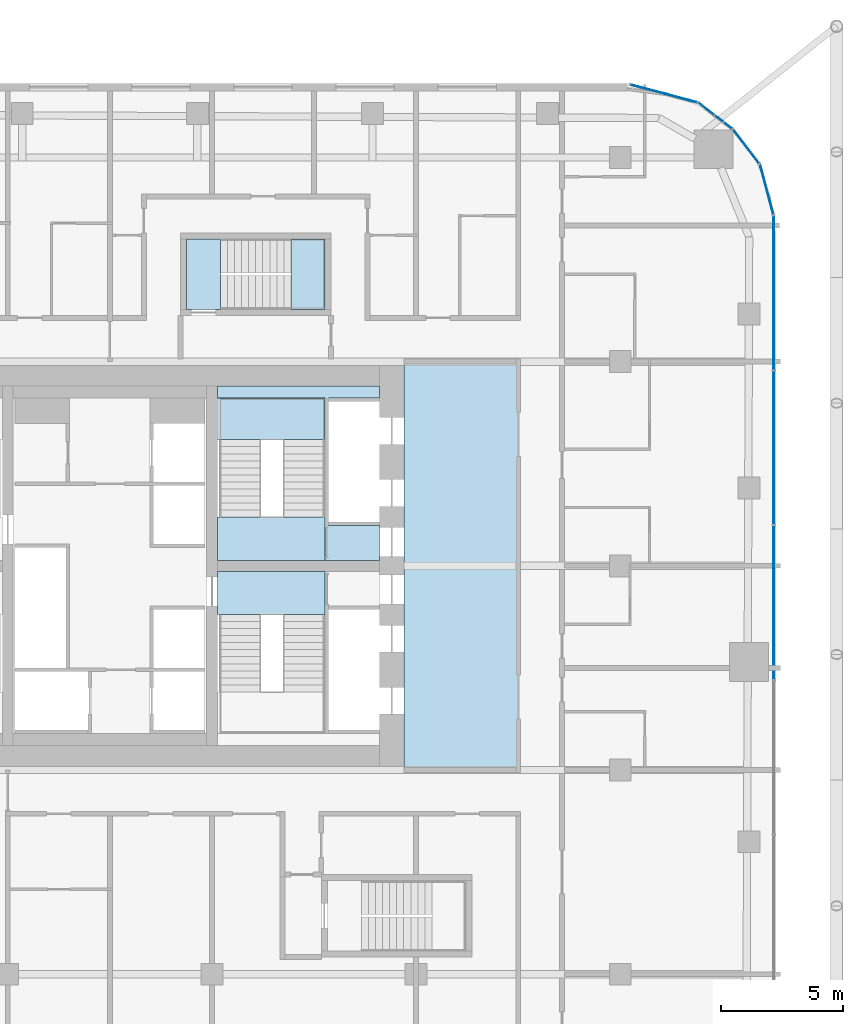
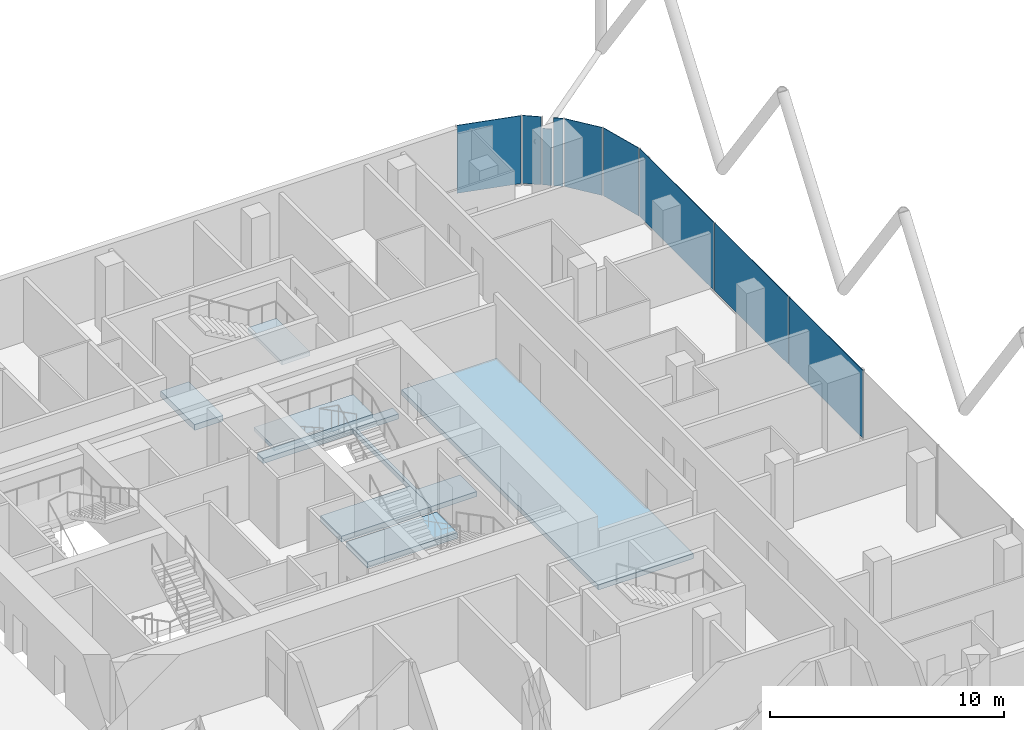
# One storey, part 23 of 33: 9 plates, 7 slabs, 9 elements without a shape of their own.
"""IFC4 building model written with IfcOpenShell, lengths in metres."""

from ifc_helpers import new_model, si_unit, direction, frame, origin, origin_2d, place, context, subcontext, project, spatial, polyline, rectangle, outline, extrude, material, layer, layer_set, type_object, element, aggregate, save


model = new_model("IFC4")

# Units and contexts
model_context = context("Model", 3, precision=1e-05, world=origin(), true_north=direction((0.0, 1.0)))
body_context = subcontext(model_context, "Body", "Model", "MODEL_VIEW")
ifc_project = project(units=[si_unit("LENGTHUNIT", "METRE"), si_unit("AREAUNIT", "SQUARE_METRE"), si_unit("VOLUMEUNIT", "CUBIC_METRE"), si_unit("PLANEANGLEUNIT", "RADIAN"), si_unit("MASSUNIT", "GRAM", prefix="KILO")], contexts=[model_context])

# Site, building, storey
site_placement = place(None, origin())
site = spatial("IfcSite", under=ifc_project, at=site_placement, CompositionType="ELEMENT")
building_placement = place(site_placement, origin())
building = spatial("IfcBuilding", under=site, at=building_placement, Name="Marenta Gate Hotel Tower", CompositionType="ELEMENT")
storey_placement = place(building_placement, frame((0.0, 0.0, 122.89990234375)))
storey = spatial("IfcBuildingStorey", under=building, at=storey_placement, Name="L27", CompositionType="ELEMENT", Elevation=122.89990234375)

# Slabs
ifc_material_1 = material(Name="Concrete C40", Category="concrete")
ifc_layer_1 = layer(ifc_material_1, 0.260009765625)
ifc_layer_set_1 = layer_set([ifc_layer_1], Name="Concrete C40")
slab_type_1 = type_object("IfcSlabType", Name="Core floor slab 260", PredefinedType="FLOOR", material=ifc_layer_set_1)
slab_1_placement = place(storey_placement, frame((0.0, 0.0, -0.260009765625)))
element("IfcSlab", 1, at=slab_1_placement, inside=storey, type_object=slab_type_1, Name="L27-CF-1", PredefinedType="FLOOR", context=body_context, shape_type="SweptSolid", body=[
    extrude(outline(polyline([(12.10009765625, 0.0), (12.10009765625, 16.800048828125), (16.800048828125, 16.800048828125), (16.800048828125, 0.0), (12.10009765625, 0.0)])), origin(), (0.0, 0.0, 1.0), 0.260009765625),
])
slab_2_placement = place(storey_placement, frame((0.0, 0.0, -0.260009765625)))
element("IfcSlab", 2, at=slab_2_placement, inside=storey, type_object=slab_type_1, Name="L27-CF-3", PredefinedType="FLOOR", context=body_context, shape_type="SweptSolid", body=[
    extrude(outline(polyline([(8.85009765625, 15.300048828125), (4.425048828125, 15.300048828125), (4.425048828125, 15.800048828125), (11.10009765625, 15.800048828125), (11.10009765625, 15.300048828125), (9.0, 15.300048828125), (9.0, 15.14990234375), (9.0, 12.75), (9.0, 12.60009765625), (9.0, 10.199951171875), (9.0, 10.050048828125), (11.10009765625, 10.050048828125), (11.10009765625, 8.625), (8.85009765625, 8.625), (8.85009765625, 8.699951171875), (8.85009765625, 10.39990234375), (8.85009765625, 15.300048828125)])), origin(), (0.0, 0.0, 1.0), 0.260009765625),
])

# Stair, slab
ifc_material_2 = material(Name="Concrete C40", Category="concrete")
stair_type_1 = type_object("IfcStairType", Name="Core exit stair 1700 wide", PredefinedType="HALF_TURN_STAIR", material=ifc_material_2)
stair_1_placement = place(storey_placement, origin())
stair_1 = element("IfcStair", 3, at=stair_1_placement, inside=storey, type_object=stair_type_1, Name="Exit stair 4", PredefinedType="HALF_TURN_STAIR")
ifc_material_3 = material(Name="Concrete C40", Category="concrete")
ifc_layer_2 = layer(ifc_material_3, 0.199951171875)
ifc_layer_set_2 = layer_set([ifc_layer_2], Name="Concrete C40")
slab_type_2 = type_object("IfcSlabType", Name="Core stair landing 200", PredefinedType="LANDING", material=ifc_layer_set_2)
slab_3_placement = place(storey_placement, frame((0.0, 0.0, 1.60009765625)))
slab_3 = element("IfcSlab", 4, at=slab_3_placement, type_object=slab_type_2, Name="SL-200 ST4 landing 1", PredefinedType="LANDING", context=body_context, shape_type="SweptSolid", body=[
    extrude(outline(polyline([(3.97509765625, 13.590087890625), (8.85009765625, 13.590087890625), (8.85009765625, 15.300048828125), (3.97509765625, 15.300048828125), (3.97509765625, 13.590087890625)])), origin(), (0.0, 0.0, 1.0), 0.199951171875),
])
aggregate(stair_1, [slab_3])

# Curtain wall, plates
ifc_material_4 = material(Name="Tinted insulated glass in bronze anodised frame", Category="glass")
ifc_layer_3 = layer(ifc_material_4, 0.1201171875)
ifc_layer_set_3 = layer_set([ifc_layer_3], Name="Tinted insulated glass in bronze anodised frame")
curtain_wall_type = type_object("IfcCurtainWallType", Name="Tower unitised curtain wall CW1", PredefinedType="NOTDEFINED", material=ifc_layer_set_3)
curtain_wall_1_placement = place(storey_placement, origin())
curtain_wall_1 = element("IfcCurtainWall", 5, at=curtain_wall_1_placement, inside=storey, type_object=curtain_wall_type, Name="CW1 run G19", PredefinedType="NOTDEFINED")
ifc_material_5 = material(Name="Tinted insulated glass", Category="glass")
ifc_layer_4 = layer(ifc_material_5, 0.028076171875)
ifc_layer_set_4 = layer_set([ifc_layer_4], Name="Tinted insulated glass")
plate_type = type_object("IfcPlateType", Name="Glass panel CW1 28 mm tinted insulated unit", PredefinedType="CURTAIN_PANEL", material=ifc_layer_set_4)
plate_1_placement = place(storey_placement, frame((27.31396484375, 6.891845703125, 0.06005859375), z_axis=(0.0, 0.0, 1.0), x_axis=(0.0, 1.0, 0.0)))
plate_1 = element("IfcPlate", 6, at=plate_1_placement, type_object=plate_type, Name="CW1 panel 4.1", PredefinedType="CURTAIN_PANEL", context=body_context, shape_type="SweptSolid", body=[
    extrude(rectangle(XDim=6.300048828125, YDim=0.028076171875, at=origin_2d()), origin(), (0.0, 0.0, 1.0), 3.5400390625),
])
plate_2_placement = place(storey_placement, frame((27.31396484375, 13.251953125, 0.06005859375), z_axis=(0.0, 0.0, 1.0), x_axis=(0.0, 1.0, 0.0)))
plate_2 = element("IfcPlate", 7, at=plate_2_placement, type_object=plate_type, Name="CW1 panel 5.1", PredefinedType="CURTAIN_PANEL", context=body_context, shape_type="SweptSolid", body=[
    extrude(rectangle(XDim=6.300048828125, YDim=0.028076171875, at=origin_2d()), origin(), (0.0, 0.0, 1.0), 3.5400390625),
])
plate_3_placement = place(storey_placement, frame((27.31396484375, 19.626953125, 0.06005859375), z_axis=(0.0, 0.0, 1.0), x_axis=(0.0, 1.0, 0.0)))
plate_3 = element("IfcPlate", 8, at=plate_3_placement, type_object=plate_type, Name="CW1 panel 6.1", PredefinedType="CURTAIN_PANEL", context=body_context, shape_type="SweptSolid", body=[
    extrude(rectangle(XDim=6.330078125, YDim=0.028076171875, at=origin_2d()), origin(), (0.0, 0.0, 1.0), 3.5400390625),
])
aggregate(curtain_wall_1, [plate_1, plate_2, plate_3])

# Curtain wall, plate
curtain_wall_2_placement = place(storey_placement, origin())
curtain_wall_2 = element("IfcCurtainWall", 9, at=curtain_wall_2_placement, inside=storey, type_object=curtain_wall_type, Name="CW1 run G20", PredefinedType="NOTDEFINED")
plate_4_placement = place(storey_placement, frame((27.022216796875, 23.880615234375, 0.06005859375), z_axis=(0.0, 0.0, 1.0), x_axis=(-0.258822651658, 0.965924859908, 0.0)))
plate_4 = element("IfcPlate", 10, at=plate_4_placement, type_object=plate_type, Name="CW1 panel 1.1", PredefinedType="CURTAIN_PANEL", context=body_context, shape_type="SweptSolid", body=[
    extrude(rectangle(XDim=2.13427734375, YDim=0.028076171875, at=origin_2d()), origin(), (0.0, 0.0, 1.0), 3.5400390625),
])
aggregate(curtain_wall_2, [plate_4])

curtain_wall_3_placement = place(storey_placement, origin())
curtain_wall_3 = element("IfcCurtainWall", 11, at=curtain_wall_3_placement, inside=storey, type_object=curtain_wall_type, Name="CW1 run G21", PredefinedType="NOTDEFINED")
plate_5_placement = place(storey_placement, frame((26.177490234375, 25.652099609375, 0.06005859375), z_axis=(0.0, 0.0, 1.0), x_axis=(-0.608796116694, 0.793326722289, 0.0)))
plate_5 = element("IfcPlate", 12, at=plate_5_placement, type_object=plate_type, Name="CW1 panel 1.1", PredefinedType="CURTAIN_PANEL", context=body_context, shape_type="SweptSolid", body=[
    extrude(rectangle(XDim=1.747802734375, YDim=0.028076171875, at=origin_2d()), origin(), (0.0, 0.0, 1.0), 3.5400390625),
])
aggregate(curtain_wall_3, [plate_5])

curtain_wall_4_placement = place(storey_placement, origin())
curtain_wall_4 = element("IfcCurtainWall", 13, at=curtain_wall_4_placement, inside=storey, type_object=curtain_wall_type, Name="CW1 run G22", PredefinedType="NOTDEFINED")
plate_6_placement = place(storey_placement, frame((25.4345703125, 26.50732421875, 0.06005859375), z_axis=(0.0, 0.0, 1.0), x_axis=(-0.793340265701, 0.608778467767, 0.0)))
plate_6 = element("IfcPlate", 14, at=plate_6_placement, type_object=plate_type, Name="CW1 panel 1.1", PredefinedType="CURTAIN_PANEL", context=body_context, shape_type="SweptSolid", body=[
    extrude(rectangle(XDim=0.411865234375, YDim=0.028076171875, at=origin_2d()), origin(), (0.0, 0.0, 1.0), 3.5400390625),
])
aggregate(curtain_wall_4, [plate_6])

curtain_wall_5_placement = place(storey_placement, origin())
curtain_wall_5 = element("IfcCurtainWall", 15, at=curtain_wall_5_placement, inside=storey, type_object=curtain_wall_type, Name="CW1 run G23", PredefinedType="NOTDEFINED")
plate_7_placement = place(storey_placement, frame((25.06201171875, 26.793212890625, 0.060302734375), z_axis=(0.0, 0.0, 1.0), x_axis=(-0.79337187392, 0.608737274752, 0.0)))
plate_7 = element("IfcPlate", 16, at=plate_7_placement, type_object=plate_type, Name="CW1 panel 1.1", PredefinedType="CURTAIN_PANEL", context=body_context, shape_type="SweptSolid", body=[
    extrude(rectangle(XDim=0.406982421875, YDim=0.028076171875, at=origin_2d()), origin(), (0.0, 0.0, 1.0), 2.9404296875),
])
aggregate(curtain_wall_5, [plate_7])

curtain_wall_6_placement = place(storey_placement, origin())
curtain_wall_6 = element("IfcCurtainWall", 17, at=curtain_wall_6_placement, inside=storey, type_object=curtain_wall_type, Name="CW1 run G24", PredefinedType="NOTDEFINED")
plate_8_placement = place(storey_placement, frame((24.5322265625, 27.19970703125, 0.06005859375), z_axis=(0.0, 0.0, 1.0), x_axis=(-0.793295108539, 0.608837310591, 0.0)))
plate_8 = element("IfcPlate", 18, at=plate_8_placement, type_object=plate_type, Name="CW1 panel 1.1", PredefinedType="CURTAIN_PANEL", context=body_context, shape_type="SweptSolid", body=[
    extrude(rectangle(XDim=0.80908203125, YDim=0.028076171875, at=origin_2d()), origin(), (0.0, 0.0, 1.0), 3.5400390625),
])
aggregate(curtain_wall_6, [plate_8])

curtain_wall_7_placement = place(storey_placement, origin())
curtain_wall_7 = element("IfcCurtainWall", 19, at=curtain_wall_7_placement, inside=storey, type_object=curtain_wall_type, Name="CW1 run G25", PredefinedType="NOTDEFINED")
plate_9_placement = place(storey_placement, frame((22.783935546875, 27.82861328125, 0.06005859375), z_axis=(0.0, 0.0, 1.0), x_axis=(-0.965929324305, 0.258805989975, 0.0)))
plate_9 = element("IfcPlate", 20, at=plate_9_placement, type_object=plate_type, Name="CW1 panel 1.1", PredefinedType="CURTAIN_PANEL", context=body_context, shape_type="SweptSolid", body=[
    extrude(rectangle(XDim=2.83544921875, YDim=0.028076171875, at=origin_2d()), origin(), (0.0, 0.0, 1.0), 3.5400390625),
])
aggregate(curtain_wall_7, [plate_9])

# Stair, slab
ifc_material_6 = material(Name="Concrete C40", Category="concrete")
stair_type_2 = type_object("IfcStairType", Name="Remote exit stair 1400 wide", PredefinedType="HALF_TURN_STAIR", material=ifc_material_6)
stair_2_placement = place(storey_placement, origin())
stair_2 = element("IfcStair", 21, at=stair_2_placement, inside=storey, type_object=stair_type_2, Name="Exit stair RS-Z2-4", PredefinedType="HALF_TURN_STAIR")
ifc_material_7 = material(Name="Concrete C40", Category="concrete")
ifc_layer_5 = layer(ifc_material_7, 0.199951171875)
ifc_layer_set_5 = layer_set([ifc_layer_5], Name="Concrete C40")
slab_type_3 = type_object("IfcSlabType", Name="Remote stair landing 200", PredefinedType="LANDING", material=ifc_layer_set_5)
slab_4_placement = place(storey_placement, frame((0.0, 0.0, 1.60009765625)))
slab_4 = element("IfcSlab", 22, at=slab_4_placement, type_object=slab_type_3, Name="RL-200 RS-Z2-4 landing 1", PredefinedType="LANDING", context=body_context, shape_type="SweptSolid", body=[
    extrude(outline(polyline([(7.449951171875, 18.949951171875), (8.85009765625, 18.949951171875), (8.85009765625, 21.85009765625), (7.449951171875, 21.85009765625), (7.449951171875, 18.949951171875)])), origin(), (0.0, 0.0, 1.0), 0.199951171875),
])
aggregate(stair_2, [slab_4])

# Slabs
ifc_material_8 = material(Name="Concrete C40", Category="concrete")
ifc_layer_6 = layer(ifc_material_8, 0.300048828125)
ifc_layer_set_6 = layer_set([ifc_layer_6], Name="Concrete C40")
slab_type_4 = type_object("IfcSlabType", Name="Stair floor landing slab 300", PredefinedType="FLOOR", material=ifc_layer_set_6)
slab_5_placement = place(storey_placement, frame((0.0, 0.0, -0.2998046875)))
element("IfcSlab", 23, at=slab_5_placement, inside=storey, type_object=slab_type_4, Name="L27-CL-ST3-1", PredefinedType="FLOOR", context=body_context, shape_type="SweptSolid", body=[
    extrude(outline(polyline([(4.425048828125, 6.39990234375), (4.425048828125, 8.175048828125), (8.85009765625, 8.175048828125), (8.85009765625, 8.10009765625), (8.85009765625, 6.39990234375), (4.425048828125, 6.39990234375)])), origin(), (0.0, 0.0, 1.0), 0.2998046875),
])
slab_6_placement = place(storey_placement, frame((0.0, 0.0, -0.2998046875)))
element("IfcSlab", 24, at=slab_6_placement, inside=storey, type_object=slab_type_4, Name="L27-CL-ST4-1", PredefinedType="FLOOR", context=body_context, shape_type="SweptSolid", body=[
    extrude(outline(polyline([(4.425048828125, 8.625), (4.425048828125, 10.39990234375), (8.85009765625, 10.39990234375), (8.85009765625, 8.699951171875), (8.85009765625, 8.625), (4.425048828125, 8.625)])), origin(), (0.0, 0.0, 1.0), 0.2998046875),
])
slab_7_placement = place(storey_placement, frame((0.0, 0.0, -0.2998046875)))
element("IfcSlab", 25, at=slab_7_placement, inside=storey, type_object=slab_type_4, Name="L27-RS-Z2-4-CL", PredefinedType="FLOOR", context=body_context, shape_type="SweptSolid", body=[
    extrude(outline(polyline([(4.550048828125, 18.949951171875), (4.550048828125, 21.85009765625), (3.14990234375, 21.85009765625), (3.14990234375, 18.949951171875), (4.550048828125, 18.949951171875)])), origin(), (0.0, 0.0, 1.0), 0.2998046875),
])

save(model, "model.ifc")
